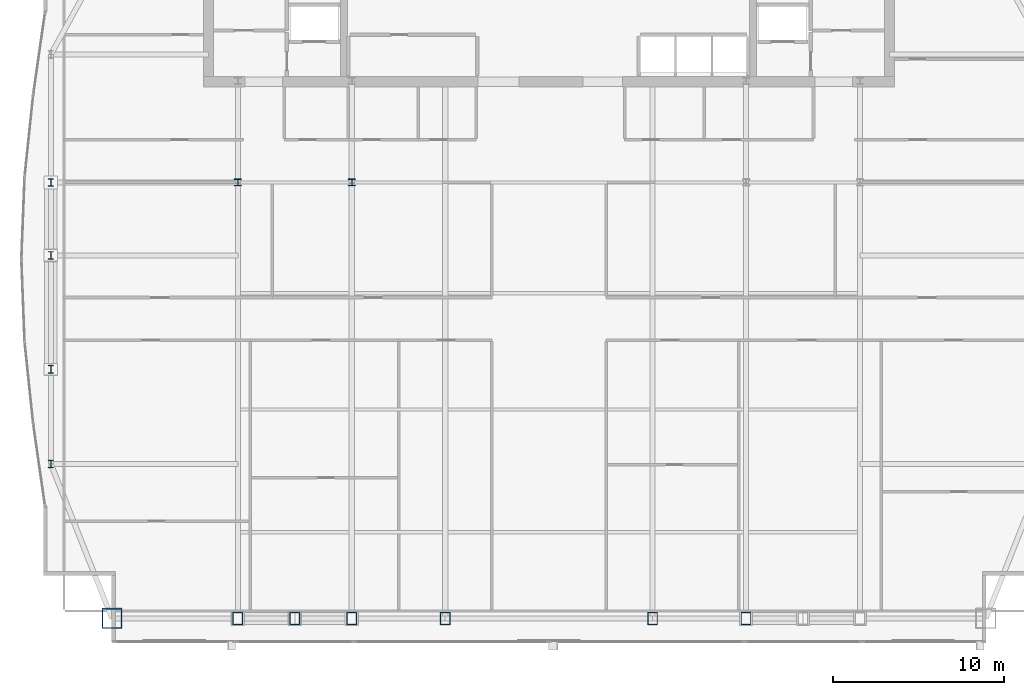
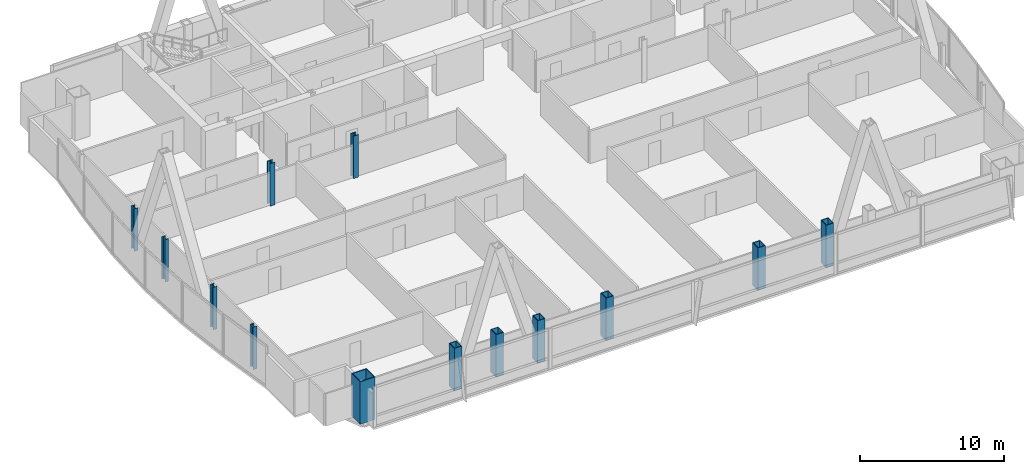
# One storey, part 1 of 32: 13 columns.
"""IFC4 building model written with IfcOpenShell, lengths in metres."""

from ifc_helpers import new_model, si_unit, direction, frame, origin, origin_2d, place, context, subcontext, project, spatial, hollow_rectangle, i_section, extrude, material, material_profile, profile_set, type_object, element, save


model = new_model("IFC4")

# Units and contexts
model_context = context("Model", 3, precision=1e-05, world=origin(), true_north=direction((0.0, 1.0)))
body_context = subcontext(model_context, "Body", "Model", "MODEL_VIEW")
ifc_project = project(units=[si_unit("LENGTHUNIT", "METRE"), si_unit("AREAUNIT", "SQUARE_METRE"), si_unit("VOLUMEUNIT", "CUBIC_METRE"), si_unit("PLANEANGLEUNIT", "RADIAN"), si_unit("MASSUNIT", "GRAM", prefix="KILO")], contexts=[model_context])

# Site, building, storey
site_placement = place(None, origin())
site = spatial("IfcSite", under=ifc_project, at=site_placement, CompositionType="ELEMENT")
building_placement = place(site_placement, origin())
building = spatial("IfcBuilding", under=site, at=building_placement, Name="Khoronbel Lancet Exchange", CompositionType="ELEMENT")
storey_placement = place(building_placement, frame((0.0, 0.0, 199.39990234375)))
storey = spatial("IfcBuildingStorey", under=building, at=storey_placement, Name="L50", CompositionType="ELEMENT", Elevation=199.39990234375)

# Columns
ifc_material_1 = material(Name="Steel S460", Category="steel")
ifc_material_profile_1 = material_profile(ifc_material_1, hollow_rectangle(XDim=0.60009765625, YDim=0.75, WallThickness=0.044921875, at=origin_2d()), Name="BOX 750x600x45")
ifc_profile_set_1 = profile_set([ifc_material_profile_1], Name="Steel S460")
column_type_1 = type_object("IfcColumnType", Name="COL-EC3", PredefinedType="COLUMN", material=ifc_profile_set_1)
for number, where, z_axis, x_axis, name in (
    (1, (18.22509765625, 10.14990234375, 0.0), (0.0, 0.0, 1.0), (1.0, 0.0, 0.0), "Structural column SC-W1 L50"),
    (2, (21.5625, 10.14990234375, 0.0), (0.0, 0.0, 1.0), (1.0, 0.0, 0.0), "Structural column SC-WM L50"),
    (3, (24.89990234375, 10.14990234375, 0.0), (0.0, 0.0, 1.0), (1.0, 0.0, 0.0), "Structural column SC-W2 L50"),
    (4, (30.375, 10.14990234375, 0.0), (0.0, 0.0, 1.0), (1.0, 0.0, 0.0), "Structural column SC-C1 L50"),
    (5, (42.52490234375, 10.14990234375, 0.0), (0.0, 0.0, 1.0), (1.0, 0.0, 0.0), "Structural column SC-C2 L50"),
    (6, (48.0, 10.14990234375, 0.0), (0.0, 0.0, 1.0), (1.0, 0.0, 0.0), "Structural column SC-E1 L50"),
):
    element("IfcColumn", number, at=place(storey_placement, frame(where, z_axis=z_axis, x_axis=x_axis)), inside=storey, type_object=column_type_1, Name=name, PredefinedType="COLUMN", context=body_context, shape_type="SweptSolid", body=[
        extrude(hollow_rectangle(XDim=0.60009765625, YDim=0.75, WallThickness=0.044921875, at=origin_2d()), origin(), (0.0, 0.0, 1.0), 3.60009765625),
    ])
ifc_material_2 = material(Name="Steel S355", Category="steel")
ifc_material_profile_2 = material_profile(ifc_material_2, i_section(OverallWidth=0.406005859375, OverallDepth=0.416015625, WebThickness=0.02978515625, FlangeThickness=0.048095703125, at=origin_2d()), Name="HD 400x382")
ifc_profile_set_2 = profile_set([ifc_material_profile_2], Name="Steel S355")
column_type_2 = type_object("IfcColumnType", Name="COL-IC3", PredefinedType="COLUMN", material=ifc_profile_set_2)
for number, where, z_axis, x_axis, name in (
    (7, (18.22509765625, 35.699951171875, 0.0), (0.0, 0.0, 1.0), (1.0, 0.0, 0.0), "Spine gravity column TC1 L50"),
    (8, (24.89990234375, 35.699951171875, 0.0), (0.0, 0.0, 1.0), (1.0, 0.0, 0.0), "Spine gravity column TC2 L50"),
):
    element("IfcColumn", number, at=place(storey_placement, frame(where, z_axis=z_axis, x_axis=x_axis)), inside=storey, type_object=column_type_2, Name=name, PredefinedType="COLUMN", context=body_context, shape_type="SweptSolid", body=[
        extrude(i_section(OverallWidth=0.406005859375, OverallDepth=0.416015625, WebThickness=0.02978515625, FlangeThickness=0.048095703125, at=origin_2d()), origin(), (0.0, 0.0, 1.0), 3.60009765625),
    ])
ifc_material_profile_3 = material_profile(ifc_material_2, i_section(OverallWidth=0.300048828125, OverallDepth=0.449951171875, WebThickness=0.013916015625, FlangeThickness=0.02587890625, at=origin_2d()), Name="HEB 450")
ifc_profile_set_3 = profile_set([ifc_material_profile_3], Name="Steel S355")
column_type_3 = type_object("IfcColumnType", Name="COL-LC2", PredefinedType="COLUMN", material=ifc_profile_set_3)
for number, where, z_axis, x_axis, name in (
    (9, (7.27001953125, 19.199951171875, 0.0), (0.0, 0.0, 1.0), (1.0, 0.0, 0.0), "Structural column WC-1 L50"),
    (10, (7.27001953125, 24.75, 0.0), (0.0, 0.0, 1.0), (1.0, 0.0, 0.0), "Structural column WC-2 L50"),
    (11, (7.27001953125, 31.425048828125, 0.0), (0.0, 0.0, 1.0), (1.0, 0.0, 0.0), "Structural column WC-M L50"),
    (12, (7.27001953125, 35.699951171875, 0.0), (0.0, 0.0, 1.0), (1.0, 0.0, 0.0), "Structural column WC-3 L50"),
):
    element("IfcColumn", number, at=place(storey_placement, frame(where, z_axis=z_axis, x_axis=x_axis)), inside=storey, type_object=column_type_3, Name=name, PredefinedType="COLUMN", context=body_context, shape_type="SweptSolid", body=[
        extrude(i_section(OverallWidth=0.300048828125, OverallDepth=0.449951171875, WebThickness=0.013916015625, FlangeThickness=0.02587890625, at=origin_2d()), origin(), (0.0, 0.0, 1.0), 3.60009765625),
    ])
ifc_material_profile_4 = material_profile(ifc_material_1, hollow_rectangle(XDim=1.199951171875, YDim=1.199951171875, WallThickness=0.06005859375, at=origin_2d()), Name="BOX 1200x1200x60")
ifc_profile_set_4 = profile_set([ifc_material_profile_4], Name="Steel S460")
column_type_4 = type_object("IfcColumnType", Name="COL-MC5", PredefinedType="COLUMN", material=ifc_profile_set_4)
column_placement = place(storey_placement, frame((10.85009765625, 10.14990234375, 0.0), z_axis=(0.0, 0.0, 1.0), x_axis=(1.0, 0.0, 0.0)))
element("IfcColumn", 13, at=column_placement, inside=storey, type_object=column_type_4, Name="Structural column MC-SW L50", PredefinedType="COLUMN", context=body_context, shape_type="SweptSolid", body=[
    extrude(hollow_rectangle(XDim=1.199951171875, YDim=1.199951171875, WallThickness=0.06005859375, at=origin_2d()), origin(), (0.0, 0.0, 1.0), 3.60009765625),
])

save(model, "model.ifc")
